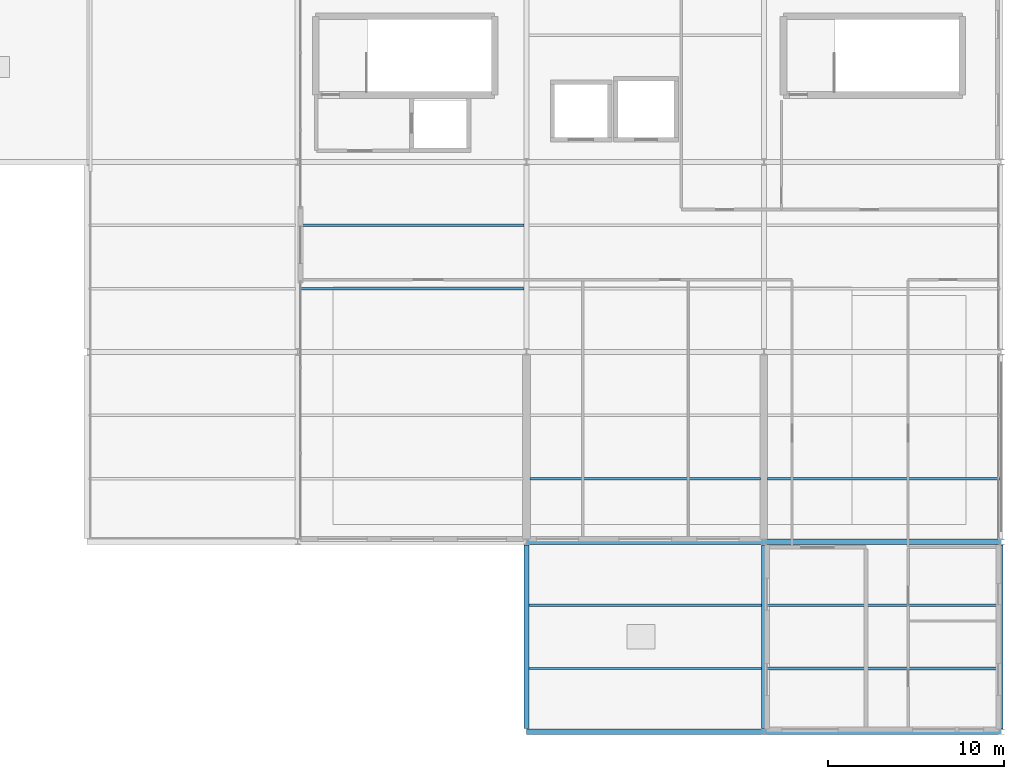
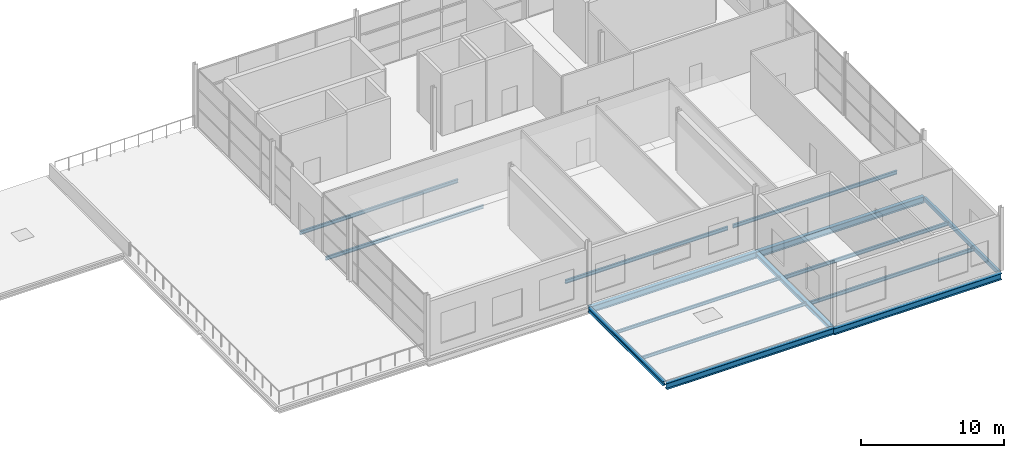
# One storey, part 11 of 34: 15 beams.
"""IFC4 building model written with IfcOpenShell, lengths in metres."""

from ifc_helpers import new_model, si_unit, direction, frame, origin, origin_2d, place, context, subcontext, project, spatial, hollow_rectangle, i_section, extrude, material, material_profile, profile_set, type_object, element, save


model = new_model("IFC4")

# Units and contexts
model_context = context("Model", 3, precision=1e-05, world=origin(), true_north=direction((0.0, 1.0)))
body_context = subcontext(model_context, "Body", "Model", "MODEL_VIEW")
ifc_project = project(units=[si_unit("LENGTHUNIT", "METRE"), si_unit("AREAUNIT", "SQUARE_METRE"), si_unit("VOLUMEUNIT", "CUBIC_METRE"), si_unit("PLANEANGLEUNIT", "RADIAN"), si_unit("MASSUNIT", "GRAM", prefix="KILO")], contexts=[model_context])

# Site, building, storey
site_placement = place(None, origin())
site = spatial("IfcSite", under=ifc_project, at=site_placement, CompositionType="ELEMENT")
building_placement = place(site_placement, origin())
building = spatial("IfcBuilding", under=site, at=building_placement, Name="Tamarisk Ironworks Central Station", CompositionType="ELEMENT")
storey_placement = place(building_placement, frame((0.0, 0.0, 25.199951171875)))
storey = spatial("IfcBuildingStorey", under=building, at=storey_placement, Name="L05", CompositionType="ELEMENT", Elevation=25.199951171875)

# Beams
ifc_material = material(Name="Structural steel S355J2", Category="steel")
ifc_material_profile_1 = material_profile(ifc_material, i_section(OverallWidth=0.14990234375, OverallDepth=0.300048828125, WebThickness=0.007080078125, FlangeThickness=0.0107421875, at=origin_2d()), Name="IPE 300")
ifc_profile_set_1 = profile_set([ifc_material_profile_1], Name="Structural steel S355J2")
beam_type_1 = type_object("IfcBeamType", Name="BM-B07", PredefinedType="BEAM", material=ifc_profile_set_1)
for number, where, z_axis, x_axis, name in (
    (1, (140.135009765625, 104.39990234375, -0.369873046875), (1.0, 0.0, 0.0), (0.0, 1.0, 0.0), "L05 secondary composite beam 0268"),
    (2, (140.135009765625, 108.0, -0.369873046875), (1.0, 0.0, 0.0), (0.0, 1.0, 0.0), "L05 secondary composite beam 0269"),
):
    element("IfcBeam", number, at=place(storey_placement, frame(where, z_axis=z_axis, x_axis=x_axis)), inside=storey, type_object=beam_type_1, Name=name, PredefinedType="BEAM", context=body_context, shape_type="SweptSolid", body=[
        extrude(i_section(OverallWidth=0.14990234375, OverallDepth=0.300048828125, WebThickness=0.007080078125, FlangeThickness=0.0107421875, at=origin_2d()), origin(), (0.0, 0.0, 1.0), 12.72998046875),
    ])
beam_1_placement = place(storey_placement, frame((153.199951171875, 93.60009765625, -0.369873046875), z_axis=(1.0, 0.0, 0.0), x_axis=(0.0, 1.0, 0.0)))
element("IfcBeam", 3, at=beam_1_placement, inside=storey, type_object=beam_type_1, Name="L05 secondary composite beam 0270", PredefinedType="BEAM", context=body_context, shape_type="SweptSolid", body=[
    extrude(i_section(OverallWidth=0.14990234375, OverallDepth=0.300048828125, WebThickness=0.007080078125, FlangeThickness=0.0107421875, at=origin_2d()), origin(), (0.0, 0.0, 1.0), 13.10009765625),
])
beam_2_placement = place(storey_placement, frame((166.699951171875, 93.60009765625, -0.369873046875), z_axis=(1.0, 0.0, 0.0), x_axis=(0.0, 1.0, 0.0)))
element("IfcBeam", 4, at=beam_2_placement, inside=storey, type_object=beam_type_1, Name="L05 secondary composite beam 0275", PredefinedType="BEAM", context=body_context, shape_type="SweptSolid", body=[
    extrude(i_section(OverallWidth=0.14990234375, OverallDepth=0.300048828125, WebThickness=0.007080078125, FlangeThickness=0.0107421875, at=origin_2d()), origin(), (0.0, 0.0, 1.0), 13.215087890625),
])
for number, where, z_axis, x_axis, name in (
    (5, (166.635009765625, 82.800048828125, -0.369873046875), (1.0, 0.0, 0.0), (0.0, 1.0, 0.0), "L05 secondary composite beam 0281"),
    (6, (166.635009765625, 86.39990234375, -0.369873046875), (1.0, 0.0, 0.0), (0.0, 1.0, 0.0), "L05 secondary composite beam 0282"),
):
    element("IfcBeam", number, at=place(storey_placement, frame(where, z_axis=z_axis, x_axis=x_axis)), inside=storey, type_object=beam_type_1, Name=name, PredefinedType="BEAM", context=body_context, shape_type="SweptSolid", body=[
        extrude(i_section(OverallWidth=0.14990234375, OverallDepth=0.300048828125, WebThickness=0.007080078125, FlangeThickness=0.0107421875, at=origin_2d()), origin(), (0.0, 0.0, 1.0), 13.280029296875),
    ])
ifc_material_profile_2 = material_profile(ifc_material, i_section(OverallWidth=0.135009765625, OverallDepth=0.27001953125, WebThickness=0.006591796875, FlangeThickness=0.01025390625, at=origin_2d()), Name="IPE 270")
ifc_profile_set_2 = profile_set([ifc_material_profile_2], Name="Structural steel S355J2")
beam_type_2 = type_object("IfcBeamType", Name="BM-B08", PredefinedType="BEAM", material=ifc_profile_set_2)
for number, where, z_axis, x_axis, name in (
    (7, (153.135009765625, 82.800048828125, -0.294921875), (1.0, 0.0, 0.0), (0.0, 1.0, 0.0), "L05 secondary composite beam 0279"),
    (8, (153.135009765625, 86.39990234375, -0.294921875), (1.0, 0.0, 0.0), (0.0, 1.0, 0.0), "L05 secondary composite beam 0280"),
):
    element("IfcBeam", number, at=place(storey_placement, frame(where, z_axis=z_axis, x_axis=x_axis)), inside=storey, type_object=beam_type_2, Name=name, PredefinedType="BEAM", context=body_context, shape_type="SweptSolid", body=[
        extrude(i_section(OverallWidth=0.135009765625, OverallDepth=0.27001953125, WebThickness=0.006591796875, FlangeThickness=0.01025390625, at=origin_2d()), origin(), (0.0, 0.0, 1.0), 13.22998046875),
    ])
ifc_material_profile_3 = material_profile(ifc_material, i_section(OverallWidth=0.300048828125, OverallDepth=0.5400390625, WebThickness=0.012451171875, FlangeThickness=0.02392578125, at=origin_2d()), Name="HEA 550")
ifc_profile_set_3 = profile_set([ifc_material_profile_3], Name="Structural steel S355J2")
beam_type_3 = type_object("IfcBeamType", Name="BM-G04", PredefinedType="BEAM", material=ifc_profile_set_3)
for number, where, z_axis, x_axis, name in (
    (9, (153.00390625, 79.199951171875, -0.429931640625), (1.0, 0.0, 0.0), (0.0, 1.0, 0.0), "L05 primary girder X-0750"),
    (10, (166.50390625, 79.199951171875, -0.489990234375), (1.0, 0.0, 0.0), (0.0, 1.0, 0.0), "L05 primary girder X-0751"),
    (11, (153.00390625, 90.0, -0.489990234375), (1.0, 0.0, 0.0), (0.0, 1.0, 0.0), "L05 primary girder X-0754"),
    (12, (166.50390625, 90.0, -0.489990234375), (1.0, 0.0, 0.0), (0.0, 1.0, 0.0), "L05 primary girder X-0755"),
):
    element("IfcBeam", number, at=place(storey_placement, frame(where, z_axis=z_axis, x_axis=x_axis)), inside=storey, type_object=beam_type_3, Name=name, PredefinedType="BEAM", context=body_context, shape_type="SweptSolid", body=[
        extrude(i_section(OverallWidth=0.300048828125, OverallDepth=0.5400390625, WebThickness=0.012451171875, FlangeThickness=0.02392578125, at=origin_2d()), origin(), (0.0, 0.0, 1.0), 13.4921875),
    ])
ifc_material_profile_4 = material_profile(ifc_material, i_section(OverallWidth=0.300048828125, OverallDepth=0.35009765625, WebThickness=0.010009765625, FlangeThickness=0.017578125, at=origin_2d()), Name="HEA 360")
ifc_profile_set_4 = profile_set([ifc_material_profile_4], Name="Structural steel S355J2")
beam_type_4 = type_object("IfcBeamType", Name="BM-G08", PredefinedType="BEAM", material=ifc_profile_set_4)
for number, where, z_axis, x_axis, name in (
    (13, (153.0, 79.387939453125, -0.3349609375), (0.0, 1.0, 0.0), (-1.0, 0.0, 0.0), "L05 primary girder Y-0776"),
    (14, (166.5, 79.387939453125, -0.39501953125), (0.0, 1.0, 0.0), (-1.0, 0.0, 0.0), "L05 primary girder Y-0779"),
):
    element("IfcBeam", number, at=place(storey_placement, frame(where, z_axis=z_axis, x_axis=x_axis)), inside=storey, type_object=beam_type_4, Name=name, PredefinedType="BEAM", context=body_context, shape_type="SweptSolid", body=[
        extrude(i_section(OverallWidth=0.300048828125, OverallDepth=0.35009765625, WebThickness=0.010009765625, FlangeThickness=0.017578125, at=origin_2d()), origin(), (0.0, 0.0, 1.0), 10.424072265625),
    ])
ifc_material_profile_5 = material_profile(ifc_material, hollow_rectangle(XDim=0.199951171875, YDim=0.35009765625, WallThickness=0.012451171875, at=origin_2d()), Name="RHS 350x200x12.5")
ifc_profile_set_5 = profile_set([ifc_material_profile_5], Name="Structural steel S355J2")
beam_type_5 = type_object("IfcBeamType", Name="BM-SP01", PredefinedType="SPANDREL", material=ifc_profile_set_5)
beam_3_placement = place(storey_placement, frame((180.0, 79.367919921875, -0.39501953125), z_axis=(0.0, 1.0, 0.0), x_axis=(-1.0, 0.0, 0.0)))
element("IfcBeam", 15, at=beam_3_placement, inside=storey, type_object=beam_type_5, Name="L05 primary girder Y-0782", PredefinedType="SPANDREL", context=body_context, shape_type="SweptSolid", body=[
    extrude(hollow_rectangle(XDim=0.199951171875, YDim=0.35009765625, WallThickness=0.012451171875, at=origin_2d()), origin(), (0.0, 0.0, 1.0), 10.464111328125),
])

save(model, "model.ifc")
